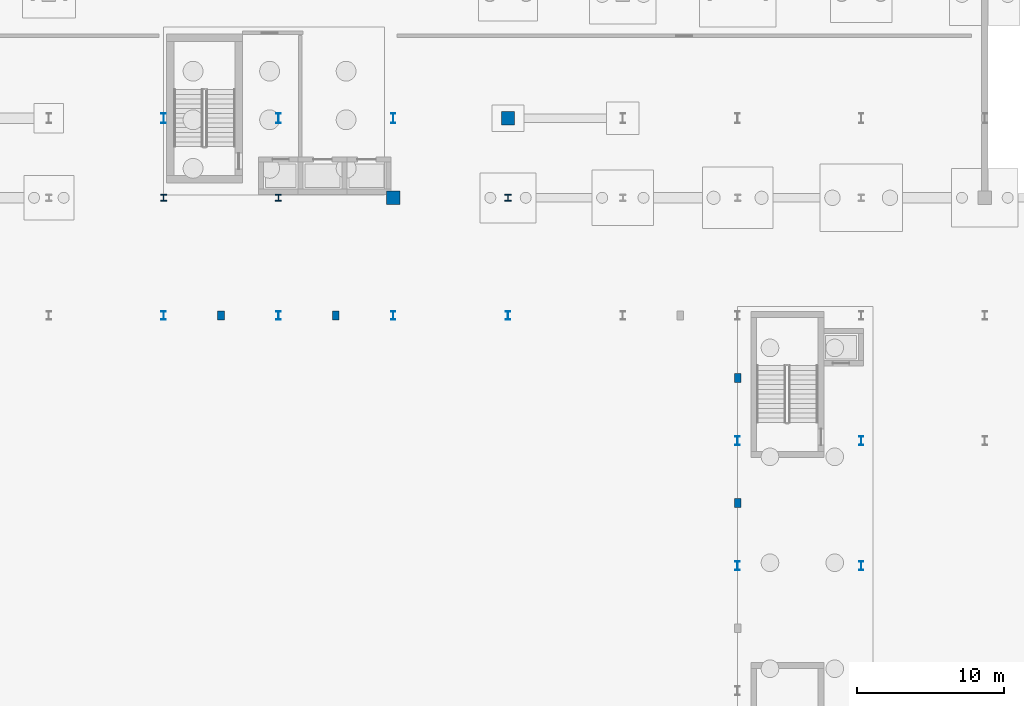
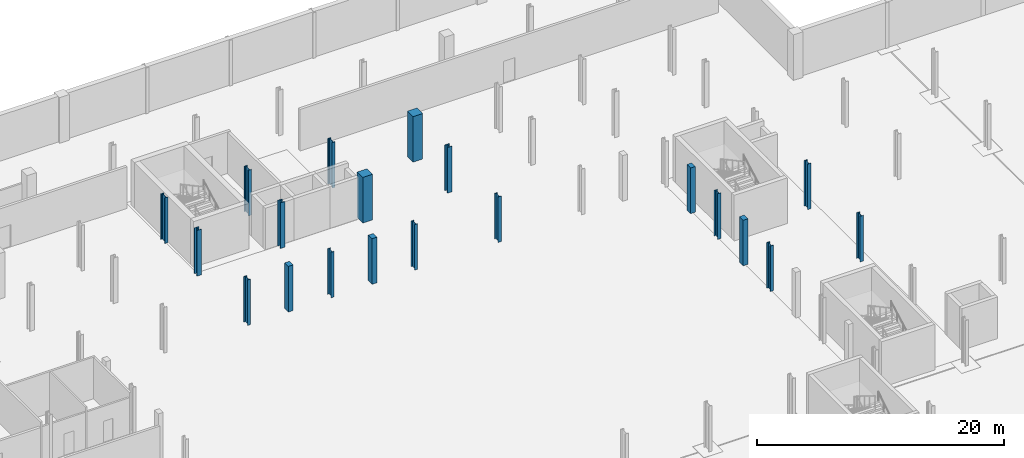
# One storey, part 14 of 45: 20 columns.
"""IFC4 building model written with IfcOpenShell, lengths in metres."""

import ifcopenshell
import ifcopenshell.guid

model = None  # the IFC model being written
_history = None  # IfcOwnerHistory: only IFC2X3 demands one
_inside = {}  # id of a spatial element -> (the spatial element, [elements in it])
_under = {}  # id of a project, library or spatial element -> (it, [spatial elements below it])
_declared = {}  # id of a project -> (the project, [libraries it declares])
_typed = {}  # id of a type object -> (the type object, [elements of that type])
_made_of = {}  # id of a material, layer set ... -> (it, [elements and type objects made of it])


def new_model(schema):
    """Start an empty IFC model of exactly this schema.

    Asked for "IFC4X3", IfcOpenShell would pick the latest addendum, in which some entities
    have other attributes; the version numbers below select the first issue.
    IFC2X3 requires an IfcOwnerHistory on every rooted entity: one is made here for all.
    """
    global model, _history
    if schema == "IFC4X3":
        model = ifcopenshell.file(schema_version=(4, 3, 0, 0))
    else:
        model = ifcopenshell.file(schema=schema)
    _inside.clear()
    _under.clear()
    _declared.clear()
    _typed.clear()
    _made_of.clear()
    _history = None
    if model.schema == "IFC2X3":
        org = make("IfcOrganization", Name="unknown")
        user = make(
            "IfcPersonAndOrganization",
            ThePerson=make("IfcPerson", FamilyName="unknown"),
            TheOrganization=org,
        )
        app = make(
            "IfcApplication",
            ApplicationDeveloper=org,
            Version="unknown",
            ApplicationFullName="unknown",
            ApplicationIdentifier="unknown",
        )
        _history = make(
            "IfcOwnerHistory",
            OwningUser=user,
            OwningApplication=app,
            ChangeAction="ADDED",
            CreationDate=0,
        )
    return model


def make(cls, **values):
    """One entity of the class cls with the attributes given. An attribute that is None is left unset."""
    return model.create_entity(
        cls, **{name: value for name, value in values.items() if value is not None}
    )


def rooted(cls, **values):
    """An entity with a GlobalId (a new one), such as an element, a storey or a relation."""
    return make(cls, GlobalId=ifcopenshell.guid.new(), OwnerHistory=_history, **values)


def si_unit(unit_type, name, prefix=None):
    """IfcSIUnit, for example si_unit("LENGTHUNIT", "METRE", prefix="MILLI")."""
    return make("IfcSIUnit", UnitType=unit_type, Prefix=prefix, Name=name)


def assignment(units):
    """IfcUnitAssignment: the units of a project."""
    return None if units is None else make("IfcUnitAssignment", Units=units)


def point(xyz):
    """IfcCartesianPoint."""
    return None if xyz is None else make("IfcCartesianPoint", Coordinates=xyz)


def direction(xyz):
    """IfcDirection."""
    return None if xyz is None else make("IfcDirection", DirectionRatios=xyz)


def frame(location, z_axis=None, x_axis=None):
    """IfcAxis2Placement3D, a coordinate frame: its origin and axes. An axis left out is left unset."""
    return make(
        "IfcAxis2Placement3D",
        Location=point(location),
        Axis=direction(z_axis),
        RefDirection=direction(x_axis),
    )


def frame_2d(location, x_axis=None):
    """IfcAxis2Placement2D, a coordinate frame in the plane: its origin and x axis."""
    return make(
        "IfcAxis2Placement2D", Location=point(location), RefDirection=direction(x_axis)
    )


def origin():
    """The frame at (0, 0, 0) with its axes left unset."""
    return frame((0.0, 0.0, 0.0))


def origin_2d():
    """The frame at (0, 0) in the plane with its x axis left unset."""
    return frame_2d((0.0, 0.0))


def place(relative_to, where):
    """IfcLocalPlacement: puts the frame where relative to a parent placement (None: the world)."""
    return make(
        "IfcLocalPlacement", PlacementRelTo=relative_to, RelativePlacement=where
    )


def context(
    kind, dimensions, precision=None, world=None, true_north=None, identifier=None
):
    """IfcGeometricRepresentationContext, for example the 3D "Model" context."""
    return make(
        "IfcGeometricRepresentationContext",
        ContextIdentifier=identifier,
        ContextType=kind,
        CoordinateSpaceDimension=dimensions,
        Precision=precision,
        WorldCoordinateSystem=world,
        TrueNorth=true_north,
    )


def subcontext(parent, identifier, kind, view, scale=None):
    """IfcGeometricRepresentationSubContext, for example "Body" below "Model"."""
    return make(
        "IfcGeometricRepresentationSubContext",
        ContextIdentifier=identifier,
        ContextType=kind,
        ParentContext=parent,
        TargetScale=scale,
        TargetView=view,
    )


def project(units=None, contexts=None):
    """IfcProject with its units and contexts."""
    return rooted(
        "IfcProject",
        Name="project",
        RepresentationContexts=contexts,
        UnitsInContext=assignment(units),
    )


def spatial(cls, under=None, at=None, **own):
    """A site, building, storey or space (cls), placed at a placement, below another one or the project."""
    s = rooted(cls, ObjectPlacement=at, **own)
    if under is not None:
        _under.setdefault(under.id(), (under, []))[1].append(s)
    return s


def profile(cls, at=None, kind="AREA", **sizes):
    """A parametric profile (cls). Its sizes go by their IFC names, for example OverallWidth=200.0."""
    return make(cls, ProfileType=kind, Position=at, **sizes)


def rectangle(**sizes):
    """IfcRectangleProfileDef."""
    return profile("IfcRectangleProfileDef", **sizes)


def i_section(**sizes):
    """IfcIShapeProfileDef."""
    return profile("IfcIShapeProfileDef", **sizes)


def extrude(swept, where, along, depth):
    """IfcExtrudedAreaSolid: the profile swept, set in the frame where, extruded along a direction by depth."""
    return make(
        "IfcExtrudedAreaSolid",
        SweptArea=swept,
        Position=where,
        ExtrudedDirection=direction(along),
        Depth=depth,
    )


def shape(context_of_items, identifier, shape_type, items):
    """IfcShapeRepresentation: the items that make up one representation, for example the "Body"."""
    return make(
        "IfcShapeRepresentation",
        ContextOfItems=context_of_items,
        RepresentationIdentifier=identifier,
        RepresentationType=shape_type,
        Items=items,
    )


def material(Name=None, Category=None):
    """IfcMaterial."""
    return make("IfcMaterial", Name=Name, Category=Category)


def material_profile(
    of_material, cross_section, Name=None, Category=None, Priority=None
):
    """IfcMaterialProfile: a cross section and its material."""
    return make(
        "IfcMaterialProfile",
        Name=Name,
        Material=of_material,
        Profile=cross_section,
        Priority=Priority,
        Category=Category,
    )


def profile_set(profiles, Name=None, composite=None):
    """IfcMaterialProfileSet."""
    return make(
        "IfcMaterialProfileSet",
        Name=Name,
        MaterialProfiles=profiles,
        CompositeProfile=composite,
    )


def made_of(thing, what):
    """Note that an element or type object is made of a material, layer set ...; save() writes the relation."""
    if what is not None:
        _made_of.setdefault(what.id(), (what, []))[1].append(thing)
    return thing


def type_object(cls, material=None, **own):
    """A type object (cls), such as IfcWallType, which elements share."""
    return made_of(rooted(cls, **own), material)


def element(
    cls,
    number,
    at=None,
    inside=None,
    cuts=None,
    type_object=None,
    material=None,
    context=None,
    identifier="Body",
    shape_type=None,
    held_by="IfcProductDefinitionShape",
    body=None,
    shapes=None,
    **own,
):
    """One element of the class cls, such as IfcWall. Its Tag is "e" and its number.

    at: its placement. inside: the storey or other place that contains it. cuts: it is an
    opening in that element (IfcRelVoidsElement). A single representation is given by context,
    identifier, shape_type and body (its items); several are given by shapes. held_by: the class
    of the entity that holds the representations. save() writes the other relations.
    """
    e = rooted(cls, Tag="e%d" % number, ObjectPlacement=at, **own)
    if body is not None:
        shapes = [shape(context, identifier, shape_type, body)]
    if shapes is not None:
        e.Representation = make(held_by, Representations=shapes)
    if inside is not None:
        _inside.setdefault(inside.id(), (inside, []))[1].append(e)
    if cuts is not None:
        rooted(
            "IfcRelVoidsElement", RelatingBuildingElement=cuts, RelatedOpeningElement=e
        )
    if type_object is not None:
        _typed.setdefault(type_object.id(), (type_object, []))[1].append(e)
    return made_of(e, material)


def aggregate(whole, parts):
    """IfcRelAggregates: a whole, such as a stair, and the parts it consists of."""
    return rooted("IfcRelAggregates", RelatingObject=whole, RelatedObjects=parts)


def save(model, path):
    """Write the relations noted so far, then the file.

    IfcRelAggregates (storeys below a building ...), IfcRelContainedInSpatialStructure (elements
    in a storey), IfcRelDefinesByType, IfcRelAssociatesMaterial and IfcRelDeclares: one each for
    every whole, place, type object, material and project.
    """
    for whole, parts in _under.values():
        aggregate(whole, parts)
    for where, things in _inside.values():
        rooted(
            "IfcRelContainedInSpatialStructure",
            RelatedElements=things,
            RelatingStructure=where,
        )
    for kind, things in _typed.values():
        rooted("IfcRelDefinesByType", RelatedObjects=things, RelatingType=kind)
    for what, things in _made_of.values():
        rooted("IfcRelAssociatesMaterial", RelatedObjects=things, RelatingMaterial=what)
    for by, libraries in _declared.values():
        rooted("IfcRelDeclares", RelatingContext=by, RelatedDefinitions=libraries)
    model.write(path)


model = new_model("IFC4")

# Units and contexts
model_context = context("Model", 3, precision=1e-05, world=origin(), true_north=direction((0.0, 1.0)))
body_context = subcontext(model_context, "Body", "Model", "MODEL_VIEW")
ifc_project = project(units=[si_unit("LENGTHUNIT", "METRE"), si_unit("AREAUNIT", "SQUARE_METRE"), si_unit("VOLUMEUNIT", "CUBIC_METRE"), si_unit("PLANEANGLEUNIT", "RADIAN"), si_unit("MASSUNIT", "GRAM", prefix="KILO")], contexts=[model_context])

# Site, building, storey
site_placement = place(None, origin())
site = spatial("IfcSite", under=ifc_project, at=site_placement, CompositionType="ELEMENT")
building_placement = place(site_placement, origin())
building = spatial("IfcBuilding", under=site, at=building_placement, Name="Sefraquen Railside Congress Hotel", CompositionType="ELEMENT")
storey_placement = place(building_placement, frame((0.0, 0.0, -4.5)))
storey = spatial("IfcBuildingStorey", under=building, at=storey_placement, Name="B01", CompositionType="ELEMENT", Elevation=-4.5)

# Columns
ifc_material_1 = material(Name="Steel S355J2", Category="steel")
ifc_material_profile_1 = material_profile(ifc_material_1, i_section(OverallWidth=0.416015625, OverallDepth=0.446044921875, WebThickness=0.035888671875, FlangeThickness=0.048095703125, FilletRadius=0.014892578125, at=origin_2d()), Name="HD 400x509")
ifc_profile_set_1 = profile_set([ifc_material_profile_1], Name="Steel S355J2")
column_type_1 = type_object("IfcColumnType", Name="TC-HD-509", PredefinedType="COLUMN", material=ifc_profile_set_1)
for number, where, z_axis, x_axis, name in (
    (1, (64.199951171875, 96.0, 0.0), (0.0, 0.0, 1.0), (1.0, 0.0, 0.0), "Structural column 9-M B01"),
    (2, (72.0, 96.0, 0.0), (0.0, 0.0, 1.0), (1.0, 0.0, 0.0), "Structural column 10-M B01"),
    (3, (87.60009765625, 96.0, 0.0), (0.0, 0.0, 1.0), (1.0, 0.0, 0.0), "Structural column 12-M B01"),
):
    element("IfcColumn", number, at=place(storey_placement, frame(where, z_axis=z_axis, x_axis=x_axis)), inside=storey, type_object=column_type_1, Name=name, PredefinedType="COLUMN", context=body_context, shape_type="SweptSolid", body=[
        extrude(i_section(OverallWidth=0.416015625, OverallDepth=0.446044921875, WebThickness=0.035888671875, FlangeThickness=0.048095703125, FilletRadius=0.014892578125, at=origin_2d()), origin(), (0.0, 0.0, 1.0), 4.5),
    ])
ifc_material_2 = material(Name="Steel S355JR", Category="steel")
ifc_material_profile_2 = material_profile(ifc_material_2, i_section(OverallWidth=0.300048828125, OverallDepth=0.60009765625, WebThickness=0.015380859375, FlangeThickness=0.030029296875, FilletRadius=0.027099609375, at=origin_2d()), Name="HEB 600")
ifc_profile_set_2 = profile_set([ifc_material_profile_2], Name="Steel S355JR")
column_type_2 = type_object("IfcColumnType", Name="TC-HEB-600", PredefinedType="COLUMN", material=ifc_profile_set_2)
for number, where, z_axis, x_axis, name in (
    (4, (64.199951171875, 88.0, 0.0), (0.0, 0.0, 1.0), (1.0, 0.0, 0.0), "Structural column 9-L B01"),
    (5, (72.0, 88.0, 0.0), (0.0, 0.0, 1.0), (1.0, 0.0, 0.0), "Structural column 10-L B01"),
    (6, (79.800048828125, 88.0, 0.0), (0.0, 0.0, 1.0), (1.0, 0.0, 0.0), "Structural column 11-L B01"),
    (7, (87.60009765625, 88.0, 0.0), (0.0, 0.0, 1.0), (1.0, 0.0, 0.0), "Structural column 12-L B01"),
    (8, (103.199951171875, 71.0, 0.0), (0.0, 0.0, 1.0), (1.0, 0.0, 0.0), "Structural column 14-J B01"),
    (9, (103.199951171875, 79.5, 0.0), (0.0, 0.0, 1.0), (1.0, 0.0, 0.0), "Structural column 14-K B01"),
    (10, (111.60009765625, 71.0, 0.0), (0.0, 0.0, 1.0), (1.0, 0.0, 0.0), "Structural column 15-J B01"),
    (11, (111.60009765625, 79.5, 0.0), (0.0, 0.0, 1.0), (1.0, 0.0, 0.0), "Structural column 15-K B01"),
):
    element("IfcColumn", number, at=place(storey_placement, frame(where, z_axis=z_axis, x_axis=x_axis)), inside=storey, type_object=column_type_2, Name=name, PredefinedType="COLUMN", context=body_context, shape_type="SweptSolid", body=[
        extrude(i_section(OverallWidth=0.300048828125, OverallDepth=0.60009765625, WebThickness=0.015380859375, FlangeThickness=0.030029296875, FilletRadius=0.027099609375, at=origin_2d()), origin(), (0.0, 0.0, 1.0), 4.5),
    ])
ifc_material_profile_3 = material_profile(ifc_material_2, i_section(OverallWidth=0.300048828125, OverallDepth=0.699951171875, WebThickness=0.01708984375, FlangeThickness=0.031982421875, FilletRadius=0.027099609375, at=origin_2d()), Name="HEB 700")
ifc_profile_set_3 = profile_set([ifc_material_profile_3], Name="Steel S355JR")
column_type_3 = type_object("IfcColumnType", Name="TC-HEB-700", PredefinedType="COLUMN", material=ifc_profile_set_3)
for number, where, z_axis, x_axis, name in (
    (12, (64.199951171875, 101.39990234375, 0.0), (0.0, 0.0, 1.0), (1.0, 0.0, 0.0), "Structural column 9-N B01"),
    (13, (72.0, 101.39990234375, 0.0), (0.0, 0.0, 1.0), (1.0, 0.0, 0.0), "Structural column 10-N B01"),
    (14, (79.800048828125, 101.39990234375, 0.0), (0.0, 0.0, 1.0), (1.0, 0.0, 0.0), "Structural column 11-N B01"),
):
    element("IfcColumn", number, at=place(storey_placement, frame(where, z_axis=z_axis, x_axis=x_axis)), inside=storey, type_object=column_type_3, Name=name, PredefinedType="COLUMN", context=body_context, shape_type="SweptSolid", body=[
        extrude(i_section(OverallWidth=0.300048828125, OverallDepth=0.699951171875, WebThickness=0.01708984375, FlangeThickness=0.031982421875, FilletRadius=0.027099609375, at=origin_2d()), origin(), (0.0, 0.0, 1.0), 4.5),
    ])
ifc_material_3 = material(Name="Concrete C50/60", Category="concrete")
ifc_material_profile_4 = material_profile(ifc_material_3, rectangle(XDim=0.449951171875, YDim=0.60009765625, at=origin_2d()), Name="RC 600x450")
ifc_profile_set_4 = profile_set([ifc_material_profile_4], Name="Concrete C50/60")
column_type_4 = type_object("IfcColumnType", Name="TC-PIL-600", PredefinedType="PILASTER", material=ifc_profile_set_4)
for number, where, z_axis, x_axis, name in (
    (15, (103.199951171875, 75.25, 0.0), (0.0, 0.0, 1.0), (1.0, 0.0, 0.0), "Courtyard limestone pilaster CPIL-E3 B01"),
    (16, (103.199951171875, 83.75, 0.0), (0.0, 0.0, 1.0), (1.0, 0.0, 0.0), "Courtyard limestone pilaster CPIL-E4 B01"),
    (17, (68.10009765625, 88.0, 0.0), (0.0, 0.0, 1.0), (1.0, 0.0, 0.0), "Courtyard limestone pilaster CPIL-N1 B01"),
    (18, (75.89990234375, 88.0, 0.0), (0.0, 0.0, 1.0), (1.0, 0.0, 0.0), "Courtyard limestone pilaster CPIL-N2 B01"),
):
    element("IfcColumn", number, at=place(storey_placement, frame(where, z_axis=z_axis, x_axis=x_axis)), inside=storey, type_object=column_type_4, Name=name, PredefinedType="PILASTER", context=body_context, shape_type="SweptSolid", body=[
        extrude(rectangle(XDim=0.449951171875, YDim=0.60009765625, at=origin_2d()), origin(), (0.0, 0.0, 1.0), 4.5),
    ])
ifc_material_profile_5 = material_profile(ifc_material_3, rectangle(XDim=0.89990234375, YDim=0.89990234375, at=origin_2d()), Name="RC 900x900")
ifc_profile_set_5 = profile_set([ifc_material_profile_5], Name="Concrete C50/60")
column_type_5 = type_object("IfcColumnType", Name="TC-RC-900", PredefinedType="COLUMN", material=ifc_profile_set_5)
for number, where, z_axis, x_axis, name in (
    (19, (79.800048828125, 96.0, 0.0), (0.0, 0.0, 1.0), (1.0, 0.0, 0.0), "Structural column 11-M B01"),
    (20, (87.60009765625, 101.39990234375, 0.0), (0.0, 0.0, 1.0), (1.0, 0.0, 0.0), "Structural column 12-N B01"),
):
    element("IfcColumn", number, at=place(storey_placement, frame(where, z_axis=z_axis, x_axis=x_axis)), inside=storey, type_object=column_type_5, Name=name, PredefinedType="COLUMN", context=body_context, shape_type="SweptSolid", body=[
        extrude(rectangle(XDim=0.89990234375, YDim=0.89990234375, at=origin_2d()), origin(), (0.0, 0.0, 1.0), 4.5),
    ])

save(model, "model.ifc")
